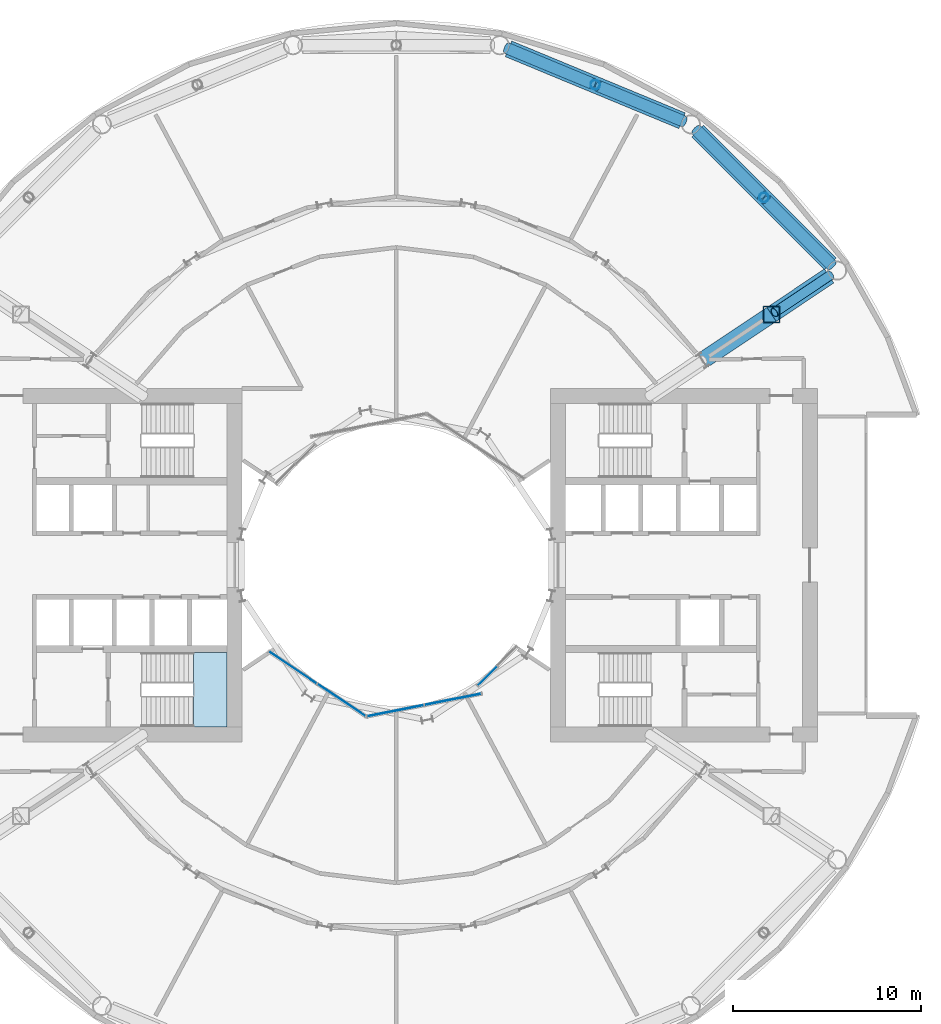
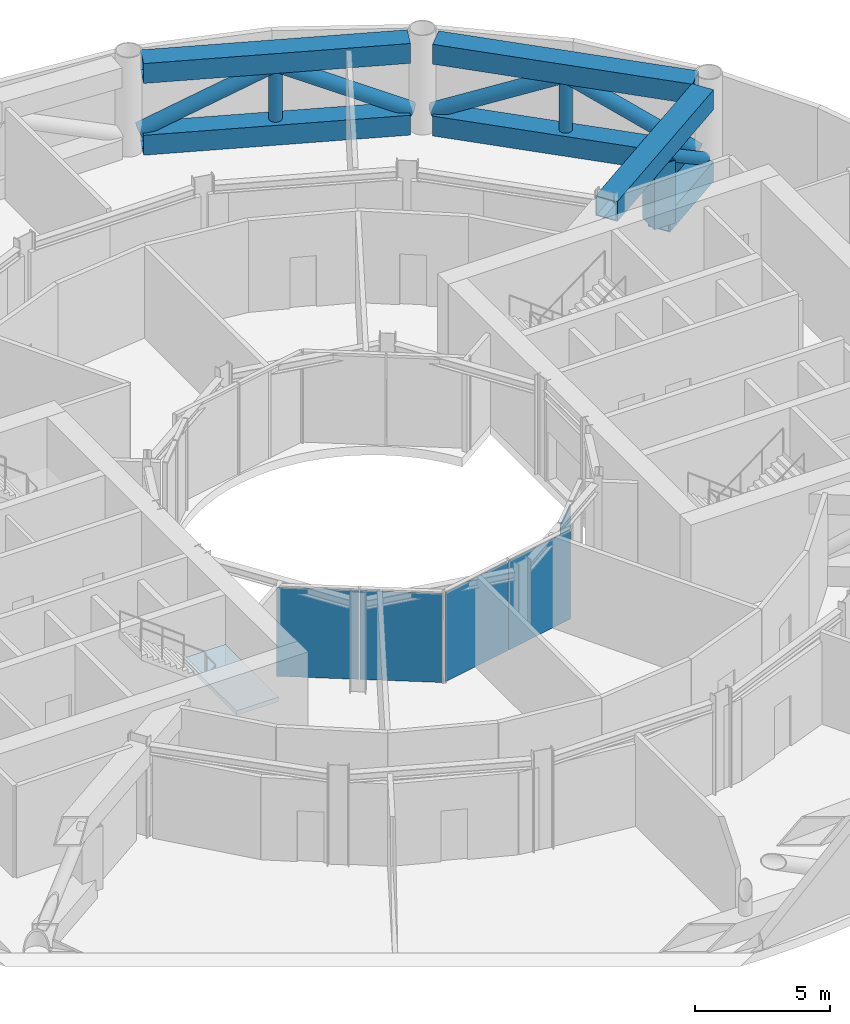
# One storey, part 8 of 15: 8 members, 6 beams, 5 plates, 1 slab, 4 elements without a shape of their own.
"""IFC4 building model written with IfcOpenShell, lengths in metres."""

from ifc_helpers import new_model, si_unit, direction, frame, origin, origin_2d, place, context, subcontext, project, spatial, polyline, rectangle, hollow_rectangle, hollow_circle, outline, extrude, material, layer, layer_set, material_profile, profile_set, type_object, element, aggregate, save


model = new_model("IFC4")

# Units and contexts
model_context = context("Model", 3, precision=1e-05, world=origin(), true_north=direction((0.0, 1.0)))
body_context = subcontext(model_context, "Body", "Model", "MODEL_VIEW")
ifc_project = project(units=[si_unit("LENGTHUNIT", "METRE"), si_unit("AREAUNIT", "SQUARE_METRE"), si_unit("VOLUMEUNIT", "CUBIC_METRE"), si_unit("PLANEANGLEUNIT", "RADIAN"), si_unit("MASSUNIT", "GRAM", prefix="KILO")], contexts=[model_context])

# Site, building, storey
site_placement = place(None, origin())
site = spatial("IfcSite", under=ifc_project, at=site_placement, CompositionType="ELEMENT")
building_placement = place(site_placement, origin())
building = spatial("IfcBuilding", under=site, at=building_placement, Name="Maasbend Ring Residences", CompositionType="ELEMENT")
storey_placement = place(building_placement, frame((0.0, 0.0, 18.300048828125)))
storey = spatial("IfcBuildingStorey", under=building, at=storey_placement, Name="L04", CompositionType="ELEMENT", Elevation=18.300048828125)

# Beams
ifc_material_1 = material(Name="Steel S460M", Category="steel")
ifc_material_profile_1 = material_profile(ifc_material_1, hollow_rectangle(XDim=0.89990234375, YDim=0.89990234375, WallThickness=0.044921875, at=origin_2d()), Name="Belt truss chord BX 900x900x45")
ifc_profile_set_1 = profile_set([ifc_material_profile_1], Name="Steel S460M")
beam_type_1 = type_object("IfcBeamType", Name="Belt truss chord BX 900x900x45", PredefinedType="BEAM", material=ifc_profile_set_1)
for number, where, z_axis, x_axis, name in (
    (1, (23.088134765625, 16.0263671875, 0.449951171875), (-0.707106781187, 0.707106781187, 0.0), (-0.707106781187, -0.707106781187, 0.0), "Belt truss"),
    (2, (23.088134765625, 16.0263671875, 3.699951171875), (-0.707106781187, 0.707106781187, 0.0), (-0.707106781187, -0.707106781187, 0.0), "Belt truss"),
):
    element("IfcBeam", number, at=place(storey_placement, frame(where, z_axis=z_axis, x_axis=x_axis)), inside=storey, type_object=beam_type_1, Name=name, PredefinedType="BEAM", context=body_context, shape_type="SweptSolid", body=[
        extrude(hollow_rectangle(XDim=0.89990234375, YDim=0.89990234375, WallThickness=0.044921875, at=origin_2d()), origin(), (0.0, 0.0, 1.0), 9.98681640625),
    ])
for number, where, z_axis, x_axis, name in (
    (3, (15.19775390625, 23.641845703125, 0.449951171875), (-0.923886337442, 0.382667003395, 0.0), (-0.382667003395, -0.923886337442, 0.0), "Belt truss"),
    (4, (15.19775390625, 23.641845703125, 3.699951171875), (-0.923886337442, 0.382667003395, 0.0), (-0.382667003395, -0.923886337442, 0.0), "Belt truss"),
):
    element("IfcBeam", number, at=place(storey_placement, frame(where, z_axis=z_axis, x_axis=x_axis)), inside=storey, type_object=beam_type_1, Name=name, PredefinedType="BEAM", context=body_context, shape_type="SweptSolid", body=[
        extrude(hollow_rectangle(XDim=0.89990234375, YDim=0.89990234375, WallThickness=0.044921875, at=origin_2d()), origin(), (0.0, 0.0, 1.0), 9.9873046875),
    ])

# Members
ifc_material_2 = material(Name="Steel S460NH", Category="steel")
ifc_material_profile_2 = material_profile(ifc_material_2, hollow_circle(Radius=0.304931640625, WallThickness=0.02490234375, at=origin_2d()), Name="Belt truss diagonal CHS 610x25")
ifc_profile_set_2 = profile_set([ifc_material_profile_2], Name="Steel S460NH")
member_type_1 = type_object("IfcMemberType", Name="Belt truss diagonal CHS 610x25", PredefinedType="BRACE", material=ifc_profile_set_2)
for number, where, z_axis, x_axis, name in (
    (5, (23.159423828125, 15.955078125, 0.849853515625), (-0.633496351585, 0.633496351585, 0.444257521103), (-0.707106781187, -0.707106781187, 0.0), "Belt truss diagonal"),
    (6, (19.448974609375, 19.66552734375, 3.300048828125), (-0.633496351585, 0.633496351585, -0.444257521103), (-0.707106781187, -0.707106781187, 0.0), "Belt truss diagonal"),
    (7, (15.291015625, 23.603271484375, 0.849853515625), (-0.827714428739, 0.342833747825, 0.444245254122), (-0.38266743189, -0.923886159963, 0.0), "Belt truss diagonal"),
    (8, (10.44287109375, 25.611328125, 3.300048828125), (-0.827714428739, 0.342833747825, -0.444245254122), (-0.38266743189, -0.923886159963, 0.0), "Belt truss diagonal"),
):
    element("IfcMember", number, at=place(storey_placement, frame(where, z_axis=z_axis, x_axis=x_axis)), inside=storey, type_object=member_type_1, Name=name, PredefinedType="BRACE", context=body_context, shape_type="SweptSolid", body=[
        extrude(hollow_circle(Radius=0.304931640625, WallThickness=0.02490234375, at=origin_2d()), origin(), (0.0, 0.0, 1.0), 5.515380859375),
    ])
ifc_material_3 = material(Name="Steel S460NH", Category="steel")
ifc_material_profile_3 = material_profile(ifc_material_3, hollow_circle(Radius=0.25390625, WallThickness=0.01611328125, at=origin_2d()), Name="Belt truss post CHS 508x16")
ifc_profile_set_3 = profile_set([ifc_material_profile_3], Name="Steel S460NH")
member_type_2 = type_object("IfcMemberType", Name="Belt truss post CHS 508x16", PredefinedType="POST", material=ifc_profile_set_3)
for number, where, z_axis, x_axis, name in (
    (9, (19.55712890625, 19.55712890625, 0.89990234375), (0.0, 0.0, 1.0), (1.0, 0.0, 0.0), "Belt truss post"),
    (10, (10.584228515625, 25.552734375, 0.89990234375), (0.0, 0.0, 1.0), (1.0, 0.0, 0.0), "Belt truss post"),
):
    element("IfcMember", number, at=place(storey_placement, frame(where, z_axis=z_axis, x_axis=x_axis)), inside=storey, type_object=member_type_2, Name=name, PredefinedType="POST", context=body_context, shape_type="SweptSolid", body=[
        extrude(hollow_circle(Radius=0.25390625, WallThickness=0.01611328125, at=origin_2d()), origin(), (0.0, 0.0, 1.0), 2.35009765625),
    ])

# Beams
ifc_material_4 = material(Name="Steel S460M", Category="steel")
ifc_material_profile_4 = material_profile(ifc_material_4, hollow_rectangle(XDim=0.89990234375, YDim=0.89990234375, WallThickness=0.044921875, at=origin_2d()), Name="Outrigger truss chord BX 900x900x45")
ifc_profile_set_4 = profile_set([ifc_material_profile_4], Name="Steel S460M")
beam_type_2 = type_object("IfcBeamType", Name="Outrigger truss chord BX 900x900x45", PredefinedType="BEAM", material=ifc_profile_set_4)
beam_1_placement = place(storey_placement, frame((23.02490234375, 15.385009765625, 0.449951171875), z_axis=(-0.83143805452, -0.555617459676, 0.0), x_axis=(0.555617459676, -0.83143805452, 0.0)))
element("IfcBeam", 11, at=beam_1_placement, inside=storey, type_object=beam_type_2, Name="Outrigger truss", PredefinedType="BEAM", context=body_context, shape_type="SweptSolid", body=[
    extrude(hollow_rectangle(XDim=0.89990234375, YDim=0.89990234375, WallThickness=0.044921875, at=origin_2d()), origin(), (0.0, 0.0, 1.0), 3.68408203125),
])
beam_2_placement = place(storey_placement, frame((23.02490234375, 15.385009765625, 3.699951171875), z_axis=(-0.831450444505, -0.555598918585, 0.0), x_axis=(0.555598918585, -0.831450444505, 0.0)))
element("IfcBeam", 12, at=beam_2_placement, inside=storey, type_object=beam_type_2, Name="Outrigger truss", PredefinedType="BEAM", context=body_context, shape_type="SweptSolid", body=[
    extrude(hollow_rectangle(XDim=0.89990234375, YDim=0.89990234375, WallThickness=0.044921875, at=origin_2d()), origin(), (0.0, 0.0, 1.0), 8.083984375),
])

# Members
ifc_material_5 = material(Name="Steel S460NH", Category="steel")
ifc_material_profile_5 = material_profile(ifc_material_5, hollow_circle(Radius=0.25390625, WallThickness=0.02490234375, at=origin_2d()), Name="Outrigger truss diagonal CHS 508x25")
ifc_profile_set_5 = profile_set([ifc_material_profile_5], Name="Steel S460NH")
member_type_3 = type_object("IfcMemberType", Name="Outrigger truss diagonal CHS 508x25", PredefinedType="BRACE", material=ifc_profile_set_5)
member_1_placement = place(storey_placement, frame((23.085693359375, 15.42529296875, 0.849853515625), z_axis=(-0.685925773772, -0.458278842366, 0.565231223054), x_axis=(0.555534944502, -0.831493190253, 0.0)))
element("IfcMember", 13, at=member_1_placement, inside=storey, type_object=member_type_3, Name="Outrigger truss diagonal", PredefinedType="BRACE", context=body_context, shape_type="SweptSolid", body=[
    extrude(hollow_circle(Radius=0.25390625, WallThickness=0.02490234375, at=origin_2d()), origin(), (0.0, 0.0, 1.0), 4.3349609375),
])
ifc_material_6 = material(Name="Steel S460M", Category="steel")
ifc_material_profile_6 = material_profile(ifc_material_6, hollow_rectangle(XDim=0.89990234375, YDim=0.89990234375, WallThickness=0.044921875, at=origin_2d()), Name="Outrigger truss post BX 900x900x45")
ifc_profile_set_6 = profile_set([ifc_material_profile_6], Name="Steel S460M")
member_type_4 = type_object("IfcMemberType", Name="Outrigger truss post BX 900x900x45", PredefinedType="POST", material=ifc_profile_set_6)
member_2_placement = place(storey_placement, frame((19.9619140625, 13.338134765625, 0.39990234375), z_axis=(0.0, 0.0, 1.0), x_axis=(1.0, 0.0, 0.0)))
element("IfcMember", 14, at=member_2_placement, inside=storey, type_object=member_type_4, Name="Outrigger truss post", PredefinedType="POST", context=body_context, shape_type="SweptSolid", body=[
    extrude(hollow_rectangle(XDim=0.89990234375, YDim=0.89990234375, WallThickness=0.044921875, at=origin_2d()), origin(), (0.0, 0.0, 1.0), 2.85009765625),
])

# Stair, slab
ifc_material_7 = material(Name="Concrete C40/50", Category="concrete")
stair_type = type_object("IfcStairType", Name="CORE STAIR 24 RISERS", PredefinedType="HALF_TURN_STAIR", material=ifc_material_7)
stair_placement = place(storey_placement, origin())
stair = element("IfcStair", 15, at=stair_placement, inside=storey, type_object=stair_type, Name="L04 Exit stair ST-W1", PredefinedType="HALF_TURN_STAIR")
ifc_material_8 = material(Name="Concrete C40/50", Category="concrete")
ifc_layer_1 = layer(ifc_material_8, 0.199951171875)
ifc_layer_set_1 = layer_set([ifc_layer_1], Name="Concrete C40/50")
slab_type = type_object("IfcSlabType", Name="CORE STAIR LANDING 200", PredefinedType="LANDING", material=ifc_layer_set_1)
slab_placement = place(storey_placement, frame((0.0, 0.0, 2.050048828125)))
slab = element("IfcSlab", 16, at=slab_placement, type_object=slab_type, Name="ST-W1 landing 1", PredefinedType="LANDING", context=body_context, shape_type="SweptSolid", body=[
    extrude(outline(polyline([(-10.800048828125, -8.60009765625), (-9.0, -8.60009765625), (-9.0, -4.64990234375), (-10.800048828125, -4.64990234375), (-10.800048828125, -8.60009765625)])), origin(), (0.0, 0.0, 1.0), 0.199951171875),
])
aggregate(stair, [slab])

# Curtain wall, plates
ifc_material_9 = material(Name="Aluminium and clear glass", Category="aluminium")
ifc_layer_2 = layer(ifc_material_9, 0.179931640625)
ifc_layer_set_2 = layer_set([ifc_layer_2], Name="CW-W")
curtain_wall_type = type_object("IfcCurtainWallType", Name="CW-W", PredefinedType="NOTDEFINED", material=ifc_layer_set_2)
curtain_wall_1_placement = place(storey_placement, origin())
curtain_wall_1 = element("IfcCurtainWall", 17, at=curtain_wall_1_placement, inside=storey, type_object=curtain_wall_type, Name="Well curtain wall S1", PredefinedType="NOTDEFINED")
ifc_material_10 = material(Name="Glass clear laminated", Category="glass")
ifc_layer_3 = layer(ifc_material_10, 0.031982421875)
ifc_layer_set_3 = layer_set([ifc_layer_3], Name="CWP-W")
plate_type = type_object("IfcPlateType", Name="CWP-W", PredefinedType="CURTAIN_PANEL", material=ifc_layer_set_3)
plate_1_placement = place(storey_placement, frame((-5.51123046875, -5.44580078125, 0.0), z_axis=(0.0, 0.0, 1.0), x_axis=(0.831469612303, -0.55557023302, 0.0)))
plate_1 = element("IfcPlate", 18, at=plate_1_placement, type_object=plate_type, Name="Glass panel well face", PredefinedType="CURTAIN_PANEL", context=body_context, shape_type="SweptSolid", body=[
    extrude(rectangle(XDim=3.053955078125, YDim=0.031982421875, at=origin_2d()), origin(), (0.0, 0.0, 1.0), 4.030029296875),
])
plate_2_placement = place(storey_placement, frame((-2.922119140625, -7.17578125, 0.0), z_axis=(0.0, 0.0, 1.0), x_axis=(0.831469612303, -0.55557023302, 0.0)))
plate_2 = element("IfcPlate", 19, at=plate_2_placement, type_object=plate_type, Name="Glass panel well face", PredefinedType="CURTAIN_PANEL", context=body_context, shape_type="SweptSolid", body=[
    extrude(rectangle(XDim=3.053955078125, YDim=0.031982421875, at=origin_2d()), origin(), (0.0, 0.0, 1.0), 4.030029296875),
])
aggregate(curtain_wall_1, [plate_1, plate_2])

curtain_wall_2_placement = place(storey_placement, origin())
curtain_wall_2 = element("IfcCurtainWall", 20, at=curtain_wall_2_placement, inside=storey, type_object=curtain_wall_type, Name="Well curtain wall S2", PredefinedType="NOTDEFINED")
plate_3_placement = place(storey_placement, frame((-0.04638671875, -7.747802734375, 0.0), z_axis=(0.0, 0.0, 1.0), x_axis=(0.980785280403, 0.195090322016, 0.0)))
plate_3 = element("IfcPlate", 21, at=plate_3_placement, type_object=plate_type, Name="Glass panel well face", PredefinedType="CURTAIN_PANEL", context=body_context, shape_type="SweptSolid", body=[
    extrude(rectangle(XDim=3.053955078125, YDim=0.031982421875, at=origin_2d()), origin(), (0.0, 0.0, 1.0), 4.030029296875),
])
plate_4_placement = place(storey_placement, frame((3.0078125, -7.140380859375, 0.0), z_axis=(0.0, 0.0, 1.0), x_axis=(0.980785280403, 0.195090322016, 0.0)))
plate_4 = element("IfcPlate", 22, at=plate_4_placement, type_object=plate_type, Name="Glass panel well face", PredefinedType="CURTAIN_PANEL", context=body_context, shape_type="SweptSolid", body=[
    extrude(rectangle(XDim=3.053955078125, YDim=0.031982421875, at=origin_2d()), origin(), (0.0, 0.0, 1.0), 4.030029296875),
])
aggregate(curtain_wall_2, [plate_3, plate_4])

# Curtain wall, plate
curtain_wall_3_placement = place(storey_placement, origin())
curtain_wall_3 = element("IfcCurtainWall", 23, at=curtain_wall_3_placement, inside=storey, type_object=curtain_wall_type, Name="Well curtain wall S3", PredefinedType="NOTDEFINED")
plate_5_placement = place(storey_placement, frame((4.84375, -5.89013671875, 0.0), z_axis=(0.0, 0.0, 1.0), x_axis=(0.707106781187, 0.707106781187, 0.0)))
plate_5 = element("IfcPlate", 24, at=plate_5_placement, type_object=plate_type, Name="Glass panel well face", PredefinedType="CURTAIN_PANEL", context=body_context, shape_type="SweptSolid", body=[
    extrude(rectangle(XDim=1.419677734375, YDim=0.031982421875, at=origin_2d()), origin(), (0.0, 0.0, 1.0), 4.030029296875),
])
aggregate(curtain_wall_3, [plate_5])

save(model, "model.ifc")
